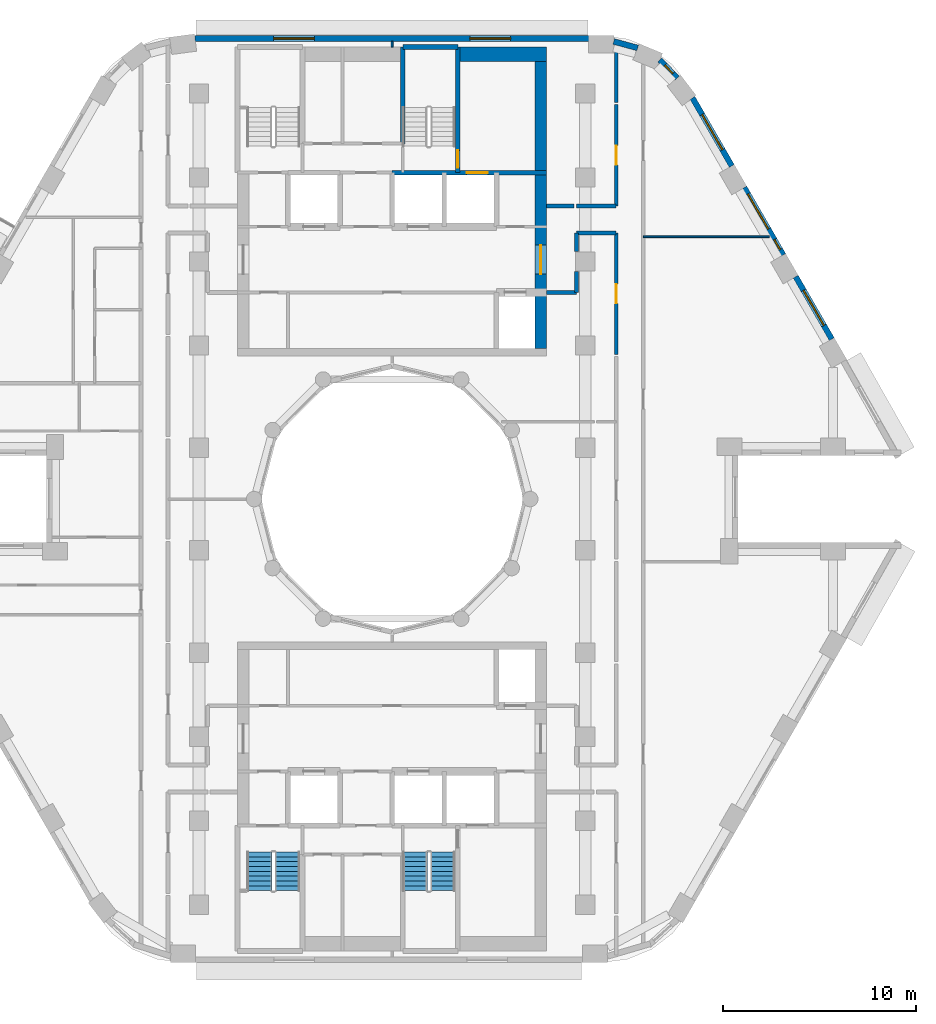
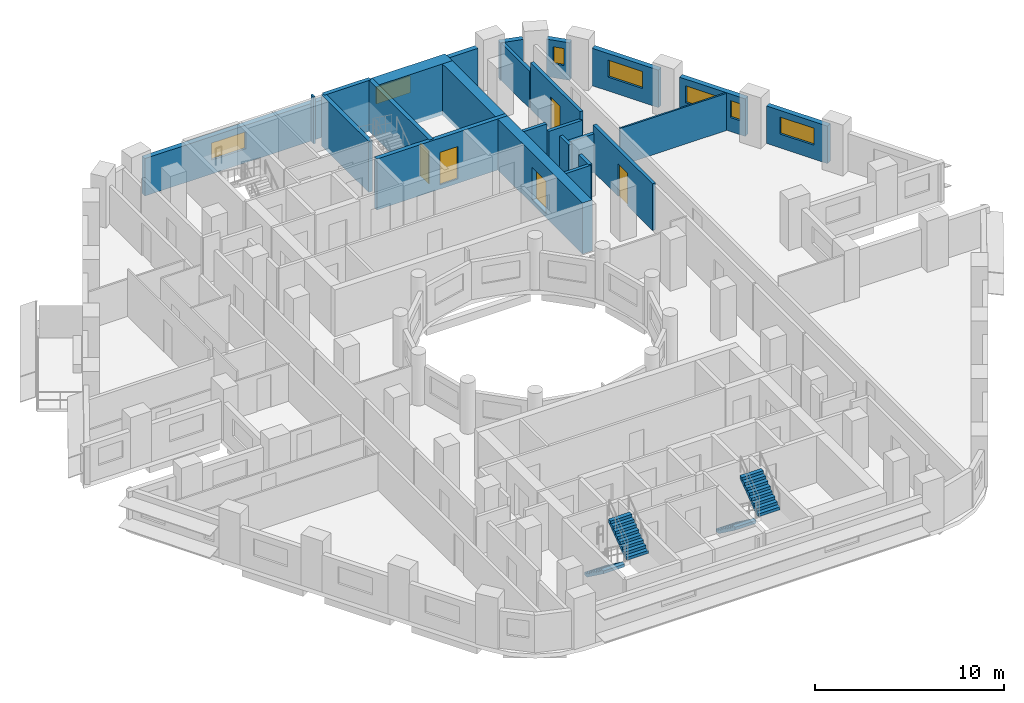
# One storey, part 8 of 13: 23 walls, 7 windows, 5 doors, 4 stair flights, 12 openings, 2 elements without a shape of their own.
"""IFC4 building model written with IfcOpenShell, lengths in metres."""

import ifcopenshell
import ifcopenshell.guid

model = None  # the IFC model being written
_history = None  # IfcOwnerHistory: only IFC2X3 demands one
_inside = {}  # id of a spatial element -> (the spatial element, [elements in it])
_under = {}  # id of a project, library or spatial element -> (it, [spatial elements below it])
_declared = {}  # id of a project -> (the project, [libraries it declares])
_typed = {}  # id of a type object -> (the type object, [elements of that type])
_made_of = {}  # id of a material, layer set ... -> (it, [elements and type objects made of it])


def new_model(schema):
    """Start an empty IFC model of exactly this schema.

    Asked for "IFC4X3", IfcOpenShell would pick the latest addendum, in which some entities
    have other attributes; the version numbers below select the first issue.
    IFC2X3 requires an IfcOwnerHistory on every rooted entity: one is made here for all.
    """
    global model, _history
    if schema == "IFC4X3":
        model = ifcopenshell.file(schema_version=(4, 3, 0, 0))
    else:
        model = ifcopenshell.file(schema=schema)
    _inside.clear()
    _under.clear()
    _declared.clear()
    _typed.clear()
    _made_of.clear()
    _history = None
    if model.schema == "IFC2X3":
        org = make("IfcOrganization", Name="unknown")
        user = make(
            "IfcPersonAndOrganization",
            ThePerson=make("IfcPerson", FamilyName="unknown"),
            TheOrganization=org,
        )
        app = make(
            "IfcApplication",
            ApplicationDeveloper=org,
            Version="unknown",
            ApplicationFullName="unknown",
            ApplicationIdentifier="unknown",
        )
        _history = make(
            "IfcOwnerHistory",
            OwningUser=user,
            OwningApplication=app,
            ChangeAction="ADDED",
            CreationDate=0,
        )
    return model


def make(cls, **values):
    """One entity of the class cls with the attributes given. An attribute that is None is left unset."""
    return model.create_entity(
        cls, **{name: value for name, value in values.items() if value is not None}
    )


def rooted(cls, **values):
    """An entity with a GlobalId (a new one), such as an element, a storey or a relation."""
    return make(cls, GlobalId=ifcopenshell.guid.new(), OwnerHistory=_history, **values)


def si_unit(unit_type, name, prefix=None):
    """IfcSIUnit, for example si_unit("LENGTHUNIT", "METRE", prefix="MILLI")."""
    return make("IfcSIUnit", UnitType=unit_type, Prefix=prefix, Name=name)


def assignment(units):
    """IfcUnitAssignment: the units of a project."""
    return None if units is None else make("IfcUnitAssignment", Units=units)


def point(xyz):
    """IfcCartesianPoint."""
    return None if xyz is None else make("IfcCartesianPoint", Coordinates=xyz)


def direction(xyz):
    """IfcDirection."""
    return None if xyz is None else make("IfcDirection", DirectionRatios=xyz)


def frame(location, z_axis=None, x_axis=None):
    """IfcAxis2Placement3D, a coordinate frame: its origin and axes. An axis left out is left unset."""
    return make(
        "IfcAxis2Placement3D",
        Location=point(location),
        Axis=direction(z_axis),
        RefDirection=direction(x_axis),
    )


def frame_2d(location, x_axis=None):
    """IfcAxis2Placement2D, a coordinate frame in the plane: its origin and x axis."""
    return make(
        "IfcAxis2Placement2D", Location=point(location), RefDirection=direction(x_axis)
    )


def origin():
    """The frame at (0, 0, 0) with its axes left unset."""
    return frame((0.0, 0.0, 0.0))


def place(relative_to, where):
    """IfcLocalPlacement: puts the frame where relative to a parent placement (None: the world)."""
    return make(
        "IfcLocalPlacement", PlacementRelTo=relative_to, RelativePlacement=where
    )


def context(
    kind, dimensions, precision=None, world=None, true_north=None, identifier=None
):
    """IfcGeometricRepresentationContext, for example the 3D "Model" context."""
    return make(
        "IfcGeometricRepresentationContext",
        ContextIdentifier=identifier,
        ContextType=kind,
        CoordinateSpaceDimension=dimensions,
        Precision=precision,
        WorldCoordinateSystem=world,
        TrueNorth=true_north,
    )


def subcontext(parent, identifier, kind, view, scale=None):
    """IfcGeometricRepresentationSubContext, for example "Body" below "Model"."""
    return make(
        "IfcGeometricRepresentationSubContext",
        ContextIdentifier=identifier,
        ContextType=kind,
        ParentContext=parent,
        TargetScale=scale,
        TargetView=view,
    )


def project(units=None, contexts=None):
    """IfcProject with its units and contexts."""
    return rooted(
        "IfcProject",
        Name="project",
        RepresentationContexts=contexts,
        UnitsInContext=assignment(units),
    )


def spatial(cls, under=None, at=None, **own):
    """A site, building, storey or space (cls), placed at a placement, below another one or the project."""
    s = rooted(cls, ObjectPlacement=at, **own)
    if under is not None:
        _under.setdefault(under.id(), (under, []))[1].append(s)
    return s


def polyline(points):
    """IfcPolyline through the points."""
    return make("IfcPolyline", Points=[point(p) for p in points])


def profile(cls, at=None, kind="AREA", **sizes):
    """A parametric profile (cls). Its sizes go by their IFC names, for example OverallWidth=200.0."""
    return make(cls, ProfileType=kind, Position=at, **sizes)


def rectangle(**sizes):
    """IfcRectangleProfileDef."""
    return profile("IfcRectangleProfileDef", **sizes)


def outline(outer, holes=None, kind="AREA"):
    """IfcArbitraryClosedProfileDef: a profile drawn as a closed curve; with holes, ...WithVoids."""
    if holes is None:
        return make("IfcArbitraryClosedProfileDef", ProfileType=kind, OuterCurve=outer)
    return make(
        "IfcArbitraryProfileDefWithVoids",
        ProfileType=kind,
        OuterCurve=outer,
        InnerCurves=holes,
    )


def extrude(swept, where, along, depth):
    """IfcExtrudedAreaSolid: the profile swept, set in the frame where, extruded along a direction by depth."""
    return make(
        "IfcExtrudedAreaSolid",
        SweptArea=swept,
        Position=where,
        ExtrudedDirection=direction(along),
        Depth=depth,
    )


def shape(context_of_items, identifier, shape_type, items):
    """IfcShapeRepresentation: the items that make up one representation, for example the "Body"."""
    return make(
        "IfcShapeRepresentation",
        ContextOfItems=context_of_items,
        RepresentationIdentifier=identifier,
        RepresentationType=shape_type,
        Items=items,
    )


def material(Name=None, Category=None):
    """IfcMaterial."""
    return make("IfcMaterial", Name=Name, Category=Category)


def layer(
    of_material, thickness, ventilated=None, Name=None, Category=None, Priority=None
):
    """IfcMaterialLayer: one layer of a wall or slab, of a material (None: an air gap)."""
    return make(
        "IfcMaterialLayer",
        Material=of_material,
        LayerThickness=thickness,
        IsVentilated=ventilated,
        Name=Name,
        Category=Category,
        Priority=Priority,
    )


def layer_set(layers, Name=None):
    """IfcMaterialLayerSet."""
    return make("IfcMaterialLayerSet", MaterialLayers=layers, LayerSetName=Name)


def made_of(thing, what):
    """Note that an element or type object is made of a material, layer set ...; save() writes the relation."""
    if what is not None:
        _made_of.setdefault(what.id(), (what, []))[1].append(thing)
    return thing


def type_object(cls, material=None, **own):
    """A type object (cls), such as IfcWallType, which elements share."""
    return made_of(rooted(cls, **own), material)


def element(
    cls,
    number,
    at=None,
    inside=None,
    cuts=None,
    type_object=None,
    material=None,
    context=None,
    identifier="Body",
    shape_type=None,
    held_by="IfcProductDefinitionShape",
    body=None,
    shapes=None,
    **own,
):
    """One element of the class cls, such as IfcWall. Its Tag is "e" and its number.

    at: its placement. inside: the storey or other place that contains it. cuts: it is an
    opening in that element (IfcRelVoidsElement). A single representation is given by context,
    identifier, shape_type and body (its items); several are given by shapes. held_by: the class
    of the entity that holds the representations. save() writes the other relations.
    """
    e = rooted(cls, Tag="e%d" % number, ObjectPlacement=at, **own)
    if body is not None:
        shapes = [shape(context, identifier, shape_type, body)]
    if shapes is not None:
        e.Representation = make(held_by, Representations=shapes)
    if inside is not None:
        _inside.setdefault(inside.id(), (inside, []))[1].append(e)
    if cuts is not None:
        rooted(
            "IfcRelVoidsElement", RelatingBuildingElement=cuts, RelatedOpeningElement=e
        )
    if type_object is not None:
        _typed.setdefault(type_object.id(), (type_object, []))[1].append(e)
    return made_of(e, material)


def fill(opening, filler):
    """IfcRelFillsElement: the door or window that sits in an opening."""
    return rooted(
        "IfcRelFillsElement",
        RelatingOpeningElement=opening,
        RelatedBuildingElement=filler,
    )


def aggregate(whole, parts):
    """IfcRelAggregates: a whole, such as a stair, and the parts it consists of."""
    return rooted("IfcRelAggregates", RelatingObject=whole, RelatedObjects=parts)


def save(model, path):
    """Write the relations noted so far, then the file.

    IfcRelAggregates (storeys below a building ...), IfcRelContainedInSpatialStructure (elements
    in a storey), IfcRelDefinesByType, IfcRelAssociatesMaterial and IfcRelDeclares: one each for
    every whole, place, type object, material and project.
    """
    for whole, parts in _under.values():
        aggregate(whole, parts)
    for where, things in _inside.values():
        rooted(
            "IfcRelContainedInSpatialStructure",
            RelatedElements=things,
            RelatingStructure=where,
        )
    for kind, things in _typed.values():
        rooted("IfcRelDefinesByType", RelatedObjects=things, RelatingType=kind)
    for what, things in _made_of.values():
        rooted("IfcRelAssociatesMaterial", RelatedObjects=things, RelatingMaterial=what)
    for by, libraries in _declared.values():
        rooted("IfcRelDeclares", RelatingContext=by, RelatedDefinitions=libraries)
    model.write(path)


model = new_model("IFC4")

# Units and contexts
model_context = context("Model", 3, precision=1e-05, world=origin(), true_north=direction((0.0, 1.0)))
body_context = subcontext(model_context, "Body", "Model", "MODEL_VIEW")
ifc_project = project(units=[si_unit("LENGTHUNIT", "METRE"), si_unit("AREAUNIT", "SQUARE_METRE"), si_unit("VOLUMEUNIT", "CUBIC_METRE"), si_unit("PLANEANGLEUNIT", "RADIAN"), si_unit("MASSUNIT", "GRAM", prefix="KILO")], contexts=[model_context])

# Site, building, storey
site_placement = place(None, origin())
site = spatial("IfcSite", under=ifc_project, at=site_placement, CompositionType="ELEMENT")
building_placement = place(site_placement, origin())
building = spatial("IfcBuilding", under=site, at=building_placement, Name="Nakaniwa Court", CompositionType="ELEMENT")
storey_placement = place(building_placement, frame((0.0, 0.0, 133.800048828125)))
storey = spatial("IfcBuildingStorey", under=building, at=storey_placement, Name="L34", CompositionType="ELEMENT", Elevation=133.800048828125)

# Wall, opening, door
ifc_material_1 = material(Name="Acoustic double stud partition")
ifc_layer_1 = layer(ifc_material_1, 0.199951171875)
ifc_layer_set_1 = layer_set([ifc_layer_1], Name="Acoustic double stud partition")
wall_type_1 = type_object("IfcWallType", Name="Acoustic double stud partition 200", PredefinedType="PARTITIONING", material=ifc_layer_set_1)
wall_1_placement = place(storey_placement, frame((91.60009765625, 87.4873046875, 0.0), z_axis=(0.0, 0.0, 1.0), x_axis=(0.0, 1.0, 0.0)))
wall_1 = element("IfcWall", 1, at=wall_1_placement, inside=storey, type_object=wall_type_1, Name="Partition PW-070", PredefinedType="PARTITIONING", context=body_context, shape_type="SweptSolid", body=[
    extrude(rectangle(XDim=6.28759765625, YDim=0.199951171875, at=frame_2d((3.143798828125, 0.0))), origin(), (0.0, 0.0, 1.0), 3.02490234375),
])
opening_1_placement = place(wall_1_placement, frame((2.64501953125, 0.0, 0.0)))
opening_1 = element("IfcOpeningElement", 2, at=opening_1_placement, cuts=wall_1, Name="Opening D-02-11", PredefinedType="OPENING", context=body_context, shape_type="SweptSolid", body=[
    extrude(rectangle(XDim=1.0, YDim=2.10009765625, at=frame_2d((0.5, 1.050048828125))), frame((0.0, 0.10986328125, 0.0), z_axis=(0.0, -1.0, 0.0), x_axis=(1.0, 0.0, 0.0)), (0.0, 0.0, 1.0), 0.219970703125),
])
ifc_material_2 = material(Name="Solid core timber door set, black veneer", Category="wood")
door_type_1 = type_object("IfcDoorType", Name="Internal door 1000", OperationType="NOTDEFINED", PredefinedType="DOOR", material=ifc_material_2)
door_1_placement = place(opening_1_placement, origin())
door_1 = element("IfcDoor", 3, at=door_1_placement, inside=storey, type_object=door_type_1, Name="Door D-02-11 L34-040", OperationType="SINGLE_SWING_LEFT", OverallHeight=2.10009765625, OverallWidth=1.0, PredefinedType="DOOR", context=body_context, shape_type="SweptSolid", body=[
    extrude(rectangle(XDim=1.0, YDim=2.10009765625, at=frame_2d((0.5, 1.050048828125))), frame((0.0, 0.02490234375, 0.0), z_axis=(0.0, -1.0, 0.0), x_axis=(1.0, 0.0, 0.0)), (0.0, 0.0, 1.0), 0.050048828125),
])
fill(opening_1, door_1)

wall_2_placement = place(storey_placement, frame((91.60009765625, 95.175048828125, 0.0), z_axis=(0.0, 0.0, 1.0), x_axis=(0.0, 1.0, 0.0)))
wall_2 = element("IfcWall", 4, at=wall_2_placement, inside=storey, type_object=wall_type_1, Name="Partition PW-071", PredefinedType="PARTITIONING", context=body_context, shape_type="SweptSolid", body=[
    extrude(rectangle(XDim=5.247802734375, YDim=0.199951171875, at=frame_2d((2.6240234375, 0.0))), origin(), (0.0, 0.0, 1.0), 3.02490234375),
])
opening_2_placement = place(wall_2_placement, frame((2.123046875, 0.0, 0.0)))
opening_2 = element("IfcOpeningElement", 5, at=opening_2_placement, cuts=wall_2, Name="Opening D-02-12", PredefinedType="OPENING", context=body_context, shape_type="SweptSolid", body=[
    extrude(rectangle(XDim=1.0, YDim=2.10009765625, at=frame_2d((0.5, 1.050048828125))), frame((0.0, 0.10986328125, 0.0), z_axis=(0.0, -1.0, 0.0), x_axis=(1.0, 0.0, 0.0)), (0.0, 0.0, 1.0), 0.219970703125),
])
door_2_placement = place(opening_2_placement, origin())
door_2 = element("IfcDoor", 6, at=door_2_placement, inside=storey, type_object=door_type_1, Name="Door D-02-12 L34-041", OperationType="SINGLE_SWING_RIGHT", OverallHeight=2.10009765625, OverallWidth=1.0, PredefinedType="DOOR", context=body_context, shape_type="SweptSolid", body=[
    extrude(rectangle(XDim=1.0, YDim=2.10009765625, at=frame_2d((0.5, 1.050048828125))), frame((0.0, 0.02490234375, 0.0), z_axis=(0.0, -1.0, 0.0), x_axis=(1.0, 0.0, 0.0)), (0.0, 0.0, 1.0), 0.050048828125),
])
fill(opening_2, door_2)

# Walls
wall_3_placement = place(storey_placement, frame((91.60009765625, 100.537109375, 0.0), z_axis=(0.0, 0.0, 1.0), x_axis=(0.0, 1.0, 0.0)))
element("IfcWall", 7, at=wall_3_placement, inside=storey, type_object=wall_type_1, Name="Partition PW-072", PredefinedType="PARTITIONING", context=body_context, shape_type="SweptSolid", body=[
    extrude(rectangle(XDim=3.06201171875, YDim=0.199951171875, at=frame_2d((1.531005859375, 0.0))), origin(), (0.0, 0.0, 1.0), 2.405029296875),
])
wall_4_placement = place(storey_placement, frame((89.550048828125, 90.699951171875, 0.0), z_axis=(0.0, 0.0, 1.0), x_axis=(0.0, 1.0, 0.0)))
element("IfcWall", 8, at=wall_4_placement, inside=storey, type_object=wall_type_1, Name="Partition PW-082", PredefinedType="PARTITIONING", context=body_context, shape_type="SweptSolid", body=[
    extrude(rectangle(XDim=1.082763671875, YDim=0.199951171875, at=frame_2d((0.54150390625, 0.0))), origin(), (0.0, 0.0, 1.0), 3.02490234375),
])
wall_5_placement = place(storey_placement, frame((89.550048828125, 92.817138671875, 0.0), z_axis=(0.0, 0.0, 1.0), x_axis=(0.0, 1.0, 0.0)))
element("IfcWall", 9, at=wall_5_placement, inside=storey, type_object=wall_type_1, Name="Partition PW-083", PredefinedType="PARTITIONING", context=body_context, shape_type="SweptSolid", body=[
    extrude(rectangle(XDim=0.957763671875, YDim=0.199951171875, at=frame_2d((0.47900390625, 0.0))), origin(), (0.0, 0.0, 1.0), 3.02490234375),
])
wall_6_placement = place(storey_placement, frame((89.550048828125, 93.77490234375, 0.0), z_axis=(0.0, 0.0, 1.0), x_axis=(1.0, 0.0, 0.0)))
element("IfcWall", 10, at=wall_6_placement, inside=storey, type_object=wall_type_1, Name="Partition PW-087", PredefinedType="PARTITIONING", context=body_context, shape_type="SweptSolid", body=[
    extrude(rectangle(XDim=2.050048828125, YDim=0.199951171875, at=frame_2d((1.02490234375, 0.0))), origin(), (0.0, 0.0, 1.0), 2.5048828125),
])
wall_7_placement = place(storey_placement, frame((88.0, 90.699951171875, 0.0), z_axis=(0.0, 0.0, 1.0), x_axis=(1.0, 0.0, 0.0)))
element("IfcWall", 11, at=wall_7_placement, inside=storey, type_object=wall_type_1, Name="Partition PW-089", PredefinedType="PARTITIONING", context=body_context, shape_type="SweptSolid", body=[
    extrude(rectangle(XDim=1.550048828125, YDim=0.199951171875, at=frame_2d((0.77490234375, 0.0))), origin(), (0.0, 0.0, 1.0), 3.02490234375),
])
wall_8_placement = place(storey_placement, frame((88.0, 95.175048828125, 0.0), z_axis=(0.0, 0.0, 1.0), x_axis=(1.0, 0.0, 0.0)))
element("IfcWall", 12, at=wall_8_placement, inside=storey, type_object=wall_type_1, Name="Partition PW-092", PredefinedType="PARTITIONING", context=body_context, shape_type="SweptSolid", body=[
    extrude(rectangle(XDim=1.4228515625, YDim=0.199951171875, at=frame_2d((0.71142578125, 0.0))), origin(), (0.0, 0.0, 1.0), 3.02490234375),
])
wall_9_placement = place(storey_placement, frame((89.537109375, 95.175048828125, 0.0), z_axis=(0.0, 0.0, 1.0), x_axis=(1.0, 0.0, 0.0)))
element("IfcWall", 13, at=wall_9_placement, inside=storey, type_object=wall_type_1, Name="Partition PW-093", PredefinedType="PARTITIONING", context=body_context, shape_type="SweptSolid", body=[
    extrude(rectangle(XDim=2.06298828125, YDim=0.199951171875, at=frame_2d((1.031494140625, 0.0))), origin(), (0.0, 0.0, 1.0), 2.5048828125),
])

# Wall, opening, window
ifc_material_3 = material(Name="Charcoal ceramic cladding")
ifc_layer_2 = layer(ifc_material_3, 0.02, Name="Ceramic cladding")
ifc_material_4 = material(Name="Ventilated air cavity")
ifc_layer_3 = layer(ifc_material_4, 0.04, ventilated=True, Name="Ventilated cavity")
ifc_material_5 = material(Name="Mineral wool insulation")
ifc_layer_4 = layer(ifc_material_5, 0.1, Name="Insulation")
ifc_material_6 = material(Name="Cement bonded sheathing board")
ifc_layer_5 = layer(ifc_material_6, 0.012, Name="Sheathing")
ifc_material_7 = material(Name="Cold-formed galvanised stud frame with mineral wool infill")
ifc_layer_6 = layer(ifc_material_7, 0.1, Name="Stud frame")
ifc_material_8 = material(Name="Fire-rated gypsum plasterboard lining")
ifc_layer_7 = layer(ifc_material_8, 0.028, Name="Lining")
ifc_layer_set_2 = layer_set([ifc_layer_2, ifc_layer_3, ifc_layer_4, ifc_layer_5, ifc_layer_6, ifc_layer_7], Name="Charcoal ceramic faced external wall system")
wall_type_2 = type_object("IfcWallType", Name="Black ceramic faced external wall 300", PredefinedType="SOLIDWALL", material=ifc_layer_set_2)
wall_10_placement = place(storey_placement, frame((102.759521484375, 88.279052734375, 0.0), z_axis=(0.0, 0.0, 1.0), x_axis=(-0.499933594891, 0.866063739398, 0.0)))
wall_10 = element("IfcWall", 14, at=wall_10_placement, inside=storey, type_object=wall_type_2, Name="L34 external wall 03", PredefinedType="SOLIDWALL", context=body_context, shape_type="SweptSolid", body=[
    extrude(rectangle(XDim=3.73681640625, YDim=0.300048828125, at=frame_2d((1.868408203125, 0.0))), origin(), (0.0, 0.0, 1.0), 2.425048828125),
])
opening_3_placement = place(wall_10_placement, frame((0.818359375, 0.0, 0.89990234375)))
opening_3 = element("IfcOpeningElement", 15, at=opening_3_placement, cuts=wall_10, Name="Opening W7.04", PredefinedType="OPENING", context=body_context, shape_type="SweptSolid", body=[
    extrude(rectangle(XDim=2.10009765625, YDim=1.10009765625, at=frame_2d((1.050048828125, 0.550048828125))), frame((0.0, 0.159912109375, 0.0), z_axis=(0.0, -1.0, 0.0), x_axis=(1.0, 0.0, 0.0)), (0.0, 0.0, 1.0), 0.320068359375),
])
ifc_material_9 = material(Name="Black anodised aluminium frame with dark low-E laminated double glazing", Category="aluminium")
window_type_1 = type_object("IfcWindowType", Name="Dark glass window 2100x1100 sill 900", PartitioningType="SINGLE_PANEL", PredefinedType="WINDOW", material=ifc_material_9)
window_1_placement = place(opening_3_placement, origin())
window_1 = element("IfcWindow", 16, at=window_1_placement, inside=storey, type_object=window_type_1, Name="L34 habitable room window 03-0", OverallHeight=1.10009765625, OverallWidth=2.10009765625, PartitioningType="SINGLE_PANEL", PredefinedType="WINDOW", context=body_context, shape_type="SweptSolid", body=[
    extrude(rectangle(XDim=2.10009765625, YDim=1.10009765625, at=frame_2d((1.050048828125, 0.550048828125))), frame((0.0, 0.030029296875, 0.0), z_axis=(0.0, -1.0, 0.0), x_axis=(1.0, 0.0, 0.0)), (0.0, 0.0, 1.0), 0.06005859375),
])
fill(opening_3, window_1)

# Wall, openings, windows
wall_11_placement = place(storey_placement, frame((100.245361328125, 92.63427734375, 0.0), z_axis=(0.0, 0.0, 1.0), x_axis=(-0.500031546601, 0.86600718958, 0.0)))
wall_11 = element("IfcWall", 17, at=wall_11_placement, inside=storey, type_object=wall_type_2, Name="L34 external wall 04", PredefinedType="SOLIDWALL", context=body_context, shape_type="SweptSolid", body=[
    extrude(rectangle(XDim=4.033935546875, YDim=0.300048828125, at=frame_2d((2.01708984375, 0.0))), origin(), (0.0, 0.0, 1.0), 2.425048828125),
])
opening_4_placement = place(wall_11_placement, frame((0.322021484375, 0.0, 0.89990234375)))
opening_4 = element("IfcOpeningElement", 18, at=opening_4_placement, cuts=wall_11, Name="Opening W8.05", PredefinedType="OPENING", context=body_context, shape_type="SweptSolid", body=[
    extrude(rectangle(XDim=0.60009765625, YDim=1.10009765625, at=frame_2d((0.300048828125, 0.550048828125))), frame((0.0, 0.159912109375, 0.0), z_axis=(0.0, -1.0, 0.0), x_axis=(1.0, 0.0, 0.0)), (0.0, 0.0, 1.0), 0.320068359375),
])
opening_5_placement = place(wall_11_placement, frame((1.552001953125, 0.0, 0.89990234375)))
opening_5 = element("IfcOpeningElement", 19, at=opening_5_placement, cuts=wall_11, Name="Opening W7.06", PredefinedType="OPENING", context=body_context, shape_type="SweptSolid", body=[
    extrude(rectangle(XDim=2.10009765625, YDim=1.10009765625, at=frame_2d((1.050048828125, 0.550048828125))), frame((0.0, 0.159912109375, 0.0), z_axis=(0.0, -1.0, 0.0), x_axis=(1.0, 0.0, 0.0)), (0.0, 0.0, 1.0), 0.320068359375),
])
window_2_placement = place(opening_5_placement, origin())
window_2 = element("IfcWindow", 20, at=window_2_placement, inside=storey, type_object=window_type_1, Name="L34 habitable room window 04-1", OverallHeight=1.10009765625, OverallWidth=2.10009765625, PartitioningType="SINGLE_PANEL", PredefinedType="WINDOW", context=body_context, shape_type="SweptSolid", body=[
    extrude(rectangle(XDim=2.10009765625, YDim=1.10009765625, at=frame_2d((1.050048828125, 0.550048828125))), frame((0.0, 0.030029296875, 0.0), z_axis=(0.0, -1.0, 0.0), x_axis=(1.0, 0.0, 0.0)), (0.0, 0.0, 1.0), 0.06005859375),
])
fill(opening_5, window_2)
window_type_2 = type_object("IfcWindowType", Name="Dark glass window 600x1100 sill 900", PartitioningType="SINGLE_PANEL", PredefinedType="WINDOW", material=ifc_material_9)
window_3_placement = place(opening_4_placement, origin())
window_3 = element("IfcWindow", 21, at=window_3_placement, inside=storey, type_object=window_type_2, Name="L34 habitable room window 04-0", OverallHeight=1.10009765625, OverallWidth=0.60009765625, PartitioningType="SINGLE_PANEL", PredefinedType="WINDOW", context=body_context, shape_type="SweptSolid", body=[
    extrude(rectangle(XDim=0.60009765625, YDim=1.10009765625, at=frame_2d((0.300048828125, 0.550048828125))), frame((0.0, 0.030029296875, 0.0), z_axis=(0.0, -1.0, 0.0), x_axis=(1.0, 0.0, 0.0)), (0.0, 0.0, 1.0), 0.06005859375),
])
fill(opening_4, window_3)

# Wall, opening, window
wall_12_placement = place(storey_placement, frame((97.582275390625, 97.24658203125, 0.0), z_axis=(0.0, 0.0, 1.0), x_axis=(-0.500018589245, 0.866014671013, 0.0)))
wall_12 = element("IfcWall", 22, at=wall_12_placement, inside=storey, type_object=wall_type_2, Name="L34 external wall 05", PredefinedType="SOLIDWALL", context=body_context, shape_type="SweptSolid", body=[
    extrude(rectangle(XDim=4.067626953125, YDim=0.300048828125, at=frame_2d((2.03369140625, 0.0))), origin(), (0.0, 0.0, 1.0), 2.425048828125),
])
opening_6_placement = place(wall_12_placement, frame((0.97265625, 0.0, 0.89990234375)))
opening_6 = element("IfcOpeningElement", 23, at=opening_6_placement, cuts=wall_12, Name="Opening W7.07", PredefinedType="OPENING", context=body_context, shape_type="SweptSolid", body=[
    extrude(rectangle(XDim=2.10009765625, YDim=1.10009765625, at=frame_2d((1.050048828125, 0.550048828125))), frame((0.0, 0.159912109375, 0.0), z_axis=(0.0, -1.0, 0.0), x_axis=(1.0, 0.0, 0.0)), (0.0, 0.0, 1.0), 0.320068359375),
])
window_4_placement = place(opening_6_placement, origin())
window_4 = element("IfcWindow", 24, at=window_4_placement, inside=storey, type_object=window_type_1, Name="L34 habitable room window 05-0", OverallHeight=1.10009765625, OverallWidth=2.10009765625, PartitioningType="SINGLE_PANEL", PredefinedType="WINDOW", context=body_context, shape_type="SweptSolid", body=[
    extrude(rectangle(XDim=2.10009765625, YDim=1.10009765625, at=frame_2d((1.050048828125, 0.550048828125))), frame((0.0, 0.030029296875, 0.0), z_axis=(0.0, -1.0, 0.0), x_axis=(1.0, 0.0, 0.0)), (0.0, 0.0, 1.0), 0.06005859375),
])
fill(opening_6, window_4)

wall_13_placement = place(storey_placement, frame((94.76318359375, 101.79541015625, 0.0), z_axis=(0.0, 0.0, 1.0), x_axis=(-0.697598997785, 0.716488407645, 0.0)))
wall_13 = element("IfcWall", 25, at=wall_13_placement, inside=storey, type_object=wall_type_2, Name="L34 external wall 06", PredefinedType="SOLIDWALL", context=body_context, shape_type="SweptSolid", body=[
    extrude(rectangle(XDim=1.305419921875, YDim=0.300048828125, at=frame_2d((0.65283203125, 0.0))), origin(), (0.0, 0.0, 1.0), 2.425048828125),
])
opening_7_placement = place(wall_13_placement, frame((0.328125, 0.0, 0.89990234375)))
opening_7 = element("IfcOpeningElement", 26, at=opening_7_placement, cuts=wall_13, Name="Opening W8.08", PredefinedType="OPENING", context=body_context, shape_type="SweptSolid", body=[
    extrude(rectangle(XDim=0.60009765625, YDim=1.10009765625, at=frame_2d((0.300048828125, 0.550048828125))), frame((0.0, 0.159912109375, 0.0), z_axis=(0.0, -1.0, 0.0), x_axis=(1.0, 0.0, 0.0)), (0.0, 0.0, 1.0), 0.320068359375),
])
window_5_placement = place(opening_7_placement, origin())
window_5 = element("IfcWindow", 27, at=window_5_placement, inside=storey, type_object=window_type_2, Name="L34 habitable room window 06-0", OverallHeight=1.10009765625, OverallWidth=0.60009765625, PartitioningType="SINGLE_PANEL", PredefinedType="WINDOW", context=body_context, shape_type="SweptSolid", body=[
    extrude(rectangle(XDim=0.60009765625, YDim=1.10009765625, at=frame_2d((0.300048828125, 0.550048828125))), frame((0.0, 0.030029296875, 0.0), z_axis=(0.0, -1.0, 0.0), x_axis=(1.0, 0.0, 0.0)), (0.0, 0.0, 1.0), 0.06005859375),
])
fill(opening_7, window_5)

# Wall
wall_14_placement = place(storey_placement, frame((92.712890625, 103.3564453125, 0.0), z_axis=(0.0, 0.0, 1.0), x_axis=(-0.965274225809, 0.26123872031, 0.0)))
element("IfcWall", 28, at=wall_14_placement, inside=storey, type_object=wall_type_2, Name="L34 external wall 07", PredefinedType="SOLIDWALL", context=body_context, shape_type="SweptSolid", body=[
    extrude(rectangle(XDim=1.286865234375, YDim=0.300048828125, at=frame_2d((0.6435546875, 0.0))), origin(), (0.0, 0.0, 1.0), 2.425048828125),
])

# Wall, openings, windows
wall_15_placement = place(storey_placement, frame((90.1787109375, 103.85009765625, 0.0), z_axis=(0.0, 0.0, 1.0), x_axis=(-1.0, 0.0, 0.0)))
wall_15 = element("IfcWall", 29, at=wall_15_placement, inside=storey, type_object=wall_type_2, Name="L34 external wall 08", PredefinedType="SOLIDWALL", context=body_context, shape_type="SweptSolid", body=[
    extrude(rectangle(XDim=20.391357421875, YDim=0.300048828125, at=frame_2d((10.19580078125, 0.0))), origin(), (0.0, 0.0, 1.0), 2.425048828125),
])
opening_8_placement = place(wall_15_placement, frame((4.05126953125, 0.0, 0.89990234375)))
opening_8 = element("IfcOpeningElement", 30, at=opening_8_placement, cuts=wall_15, Name="Opening W7.09", PredefinedType="OPENING", context=body_context, shape_type="SweptSolid", body=[
    extrude(rectangle(XDim=2.10009765625, YDim=1.10009765625, at=frame_2d((1.050048828125, 0.550048828125))), frame((0.0, 0.159912109375, 0.0), z_axis=(0.0, -1.0, 0.0), x_axis=(1.0, 0.0, 0.0)), (0.0, 0.0, 1.0), 0.320068359375),
])
opening_9_placement = place(wall_15_placement, frame((14.211669921875, 0.0, 0.89990234375)))
opening_9 = element("IfcOpeningElement", 31, at=opening_9_placement, cuts=wall_15, Name="Opening W7.10", PredefinedType="OPENING", context=body_context, shape_type="SweptSolid", body=[
    extrude(rectangle(XDim=2.10009765625, YDim=1.10009765625, at=frame_2d((1.050048828125, 0.550048828125))), frame((0.0, 0.159912109375, 0.0), z_axis=(0.0, -1.0, 0.0), x_axis=(1.0, 0.0, 0.0)), (0.0, 0.0, 1.0), 0.320068359375),
])
window_6_placement = place(opening_8_placement, origin())
window_6 = element("IfcWindow", 32, at=window_6_placement, inside=storey, type_object=window_type_1, Name="L34 habitable room window 08-0", OverallHeight=1.10009765625, OverallWidth=2.10009765625, PartitioningType="SINGLE_PANEL", PredefinedType="WINDOW", context=body_context, shape_type="SweptSolid", body=[
    extrude(rectangle(XDim=2.10009765625, YDim=1.10009765625, at=frame_2d((1.050048828125, 0.550048828125))), frame((0.0, 0.030029296875, 0.0), z_axis=(0.0, -1.0, 0.0), x_axis=(1.0, 0.0, 0.0)), (0.0, 0.0, 1.0), 0.06005859375),
])
fill(opening_8, window_6)
window_7_placement = place(opening_9_placement, origin())
window_7 = element("IfcWindow", 33, at=window_7_placement, inside=storey, type_object=window_type_1, Name="L34 habitable room window 08-1", OverallHeight=1.10009765625, OverallWidth=2.10009765625, PartitioningType="SINGLE_PANEL", PredefinedType="WINDOW", context=body_context, shape_type="SweptSolid", body=[
    extrude(rectangle(XDim=2.10009765625, YDim=1.10009765625, at=frame_2d((1.050048828125, 0.550048828125))), frame((0.0, 0.030029296875, 0.0), z_axis=(0.0, -1.0, 0.0), x_axis=(1.0, 0.0, 0.0)), (0.0, 0.0, 1.0), 0.06005859375),
])
fill(opening_9, window_7)

# Wall, opening, door
ifc_material_10 = material(Name="Concrete C80/100", Category="concrete")
ifc_layer_8 = layer(ifc_material_10, 0.60009765625)
ifc_layer_set_3 = layer_set([ifc_layer_8], Name="Concrete C80/100")
wall_type_3 = type_object("IfcWallType", Name="Concrete core side wall 600 C80", PredefinedType="SHEAR", material=ifc_layer_set_3)
wall_16_placement = place(storey_placement, frame((87.699951171875, 103.39990234375, -0.275146484375), z_axis=(0.0, 0.0, 1.0), x_axis=(0.0, -1.0, 0.0)))
wall_16 = element("IfcWall", 34, at=wall_16_placement, inside=storey, type_object=wall_type_3, Name="Core wall SW-07", PredefinedType="SHEAR", context=body_context, shape_type="SweptSolid", body=[
    extrude(rectangle(XDim=15.599853515625, YDim=0.60009765625, at=frame_2d((7.7998046875, 0.0))), origin(), (0.0, 0.0, 1.0), 3.300048828125),
])
opening_10_placement = place(wall_16_placement, frame((10.248046875, 0.0, 0.27490234375)))
opening_10 = element("IfcOpeningElement", 35, at=opening_10_placement, cuts=wall_16, Name="Opening D-07-01", PredefinedType="OPENING", context=body_context, shape_type="SweptSolid", body=[
    extrude(rectangle(XDim=1.5, YDim=2.10009765625, at=frame_2d((0.75, 1.050048828125))), frame((0.0, 0.31005859375, 0.0), z_axis=(0.0, -1.0, 0.0), x_axis=(1.0, 0.0, 0.0)), (0.0, 0.0, 1.0), 0.6201171875),
])
ifc_material_11 = material(Name="Glazed fire rated steel double door set", Category="steel")
door_type_2 = type_object("IfcDoorType", Name="Lobby double door 1500", OperationType="NOTDEFINED", PredefinedType="DOOR", material=ifc_material_11)
door_3_placement = place(opening_10_placement, origin())
door_3 = element("IfcDoor", 36, at=door_3_placement, inside=storey, type_object=door_type_2, Name="Door D-07-01 L34-043", OperationType="DOUBLE_DOOR_SINGLE_SWING", OverallHeight=2.10009765625, OverallWidth=1.5, PredefinedType="DOOR", context=body_context, shape_type="SweptSolid", body=[
    extrude(rectangle(XDim=1.5, YDim=2.10009765625, at=frame_2d((0.75, 1.050048828125))), frame((0.0, 0.02490234375, 0.0), z_axis=(0.0, -1.0, 0.0), x_axis=(1.0, 0.0, 0.0)), (0.0, 0.0, 1.0), 0.050048828125),
])
fill(opening_10, door_3)

# Walls
ifc_layer_9 = layer(ifc_material_10, 0.25)
ifc_layer_set_4 = layer_set([ifc_layer_9], Name="Concrete C80/100")
wall_type_4 = type_object("IfcWallType", Name="Concrete core wall 250 C80", PredefinedType="SHEAR", material=ifc_layer_set_4)
wall_17_placement = place(storey_placement, frame((80.550048828125, 103.39990234375, -0.275146484375), z_axis=(0.0, 0.0, 1.0), x_axis=(1.0, 0.0, 0.0)))
element("IfcWall", 37, at=wall_17_placement, inside=storey, type_object=wall_type_4, Name="Core wall SW-24", PredefinedType="SHEAR", context=body_context, shape_type="SweptSolid", body=[
    extrude(rectangle(XDim=2.849853515625, YDim=0.25, at=frame_2d((1.4248046875, 0.0))), origin(), (0.0, 0.0, 1.0), 3.300048828125),
])
ifc_layer_10 = layer(ifc_material_10, 0.75)
ifc_layer_set_5 = layer_set([ifc_layer_10], Name="Concrete C80/100")
wall_type_5 = type_object("IfcWallType", Name="Concrete core wall 750 C80", PredefinedType="SHEAR", material=ifc_layer_set_5)
wall_18_placement = place(storey_placement, frame((83.39990234375, 103.02490234375, -0.275146484375), z_axis=(0.0, 0.0, 1.0), x_axis=(1.0, 0.0, 0.0)))
element("IfcWall", 38, at=wall_18_placement, inside=storey, type_object=wall_type_5, Name="Core wall SW-30", PredefinedType="SHEAR", context=body_context, shape_type="SweptSolid", body=[
    extrude(rectangle(XDim=4.60009765625, YDim=0.75, at=frame_2d((2.300048828125, 0.0))), origin(), (0.0, 0.0, 1.0), 3.300048828125),
])

# Wall, opening, door
ifc_layer_11 = layer(ifc_material_10, 0.25)
ifc_layer_set_6 = layer_set([ifc_layer_11], Name="Concrete C80/100")
wall_type_6 = type_object("IfcWallType", Name="Concrete shaft wall 250 C80", PredefinedType="SHEAR", material=ifc_layer_set_6)
wall_19_placement = place(storey_placement, frame((80.0, 96.89990234375, -0.275146484375), z_axis=(0.0, 0.0, 1.0), x_axis=(1.0, 0.0, 0.0)))
wall_19 = element("IfcWall", 39, at=wall_19_placement, inside=storey, type_object=wall_type_6, Name="Core wall SW-17", PredefinedType="SHEAR", context=body_context, shape_type="SweptSolid", body=[
    extrude(rectangle(XDim=8.0, YDim=0.25, at=frame_2d((4.0, 0.0))), origin(), (0.0, 0.0, 1.0), 3.300048828125),
])
opening_11_placement = place(wall_19_placement, frame((3.84912109375, 0.0, 0.27490234375)))
opening_11 = element("IfcOpeningElement", 40, at=opening_11_placement, cuts=wall_19, Name="Opening LD04", PredefinedType="OPENING", context=body_context, shape_type="SweptSolid", body=[
    extrude(rectangle(XDim=1.10009765625, YDim=2.10009765625, at=frame_2d((0.550048828125, 1.050048828125))), frame((0.0, 0.135009765625, 0.0), z_axis=(0.0, -1.0, 0.0), x_axis=(1.0, 0.0, 0.0)), (0.0, 0.0, 1.0), 0.27001953125),
])
ifc_material_12 = material(Name="Stainless steel sliding lift landing door", Category="steel")
door_type_3 = type_object("IfcDoorType", Name="Lift landing door 1100", OperationType="NOTDEFINED", PredefinedType="DOOR", material=ifc_material_12)
door_4_placement = place(opening_11_placement, origin())
door_4 = element("IfcDoor", 41, at=door_4_placement, inside=storey, type_object=door_type_3, Name="Lift landing door LD04 L34-004", OperationType="SLIDING_TO_LEFT", OverallHeight=2.10009765625, OverallWidth=1.10009765625, PredefinedType="DOOR", context=body_context, shape_type="SweptSolid", body=[
    extrude(rectangle(XDim=1.10009765625, YDim=2.10009765625, at=frame_2d((0.550048828125, 1.050048828125))), frame((0.0, 0.02490234375, 0.0), z_axis=(0.0, -1.0, 0.0), x_axis=(1.0, 0.0, 0.0)), (0.0, 0.0, 1.0), 0.050048828125),
])
fill(opening_11, door_4)

wall_20_placement = place(storey_placement, frame((83.39990234375, 103.39990234375, -0.275146484375), z_axis=(0.0, 0.0, 1.0), x_axis=(0.0, -1.0, 0.0)))
wall_20 = element("IfcWall", 42, at=wall_20_placement, inside=storey, type_object=wall_type_6, Name="Core wall SW-26", PredefinedType="SHEAR", context=body_context, shape_type="SweptSolid", body=[
    extrude(rectangle(XDim=6.5, YDim=0.25, at=frame_2d((3.25, 0.0))), origin(), (0.0, 0.0, 1.0), 3.300048828125),
])
opening_12_placement = place(wall_20_placement, frame((5.35009765625, 0.0, 0.27490234375)))
opening_12 = element("IfcOpeningElement", 43, at=opening_12_placement, cuts=wall_20, Name="Opening D-11-01", PredefinedType="OPENING", context=body_context, shape_type="SweptSolid", body=[
    extrude(rectangle(XDim=0.89990234375, YDim=2.10009765625, at=frame_2d((0.449951171875, 1.050048828125))), frame((0.0, 0.135009765625, 0.0), z_axis=(0.0, -1.0, 0.0), x_axis=(1.0, 0.0, 0.0)), (0.0, 0.0, 1.0), 0.27001953125),
])
ifc_material_13 = material(Name="Fire rated steel door set", Category="steel")
door_type_4 = type_object("IfcDoorType", Name="Stair door 900", OperationType="NOTDEFINED", PredefinedType="DOOR", material=ifc_material_13)
door_5_placement = place(opening_12_placement, origin())
door_5 = element("IfcDoor", 44, at=door_5_placement, inside=storey, type_object=door_type_4, Name="Door D-11-01 L34-010", OperationType="SINGLE_SWING_RIGHT", OverallHeight=2.10009765625, OverallWidth=0.89990234375, PredefinedType="DOOR", context=body_context, shape_type="SweptSolid", body=[
    extrude(rectangle(XDim=0.89990234375, YDim=2.10009765625, at=frame_2d((0.449951171875, 1.050048828125))), frame((0.0, 0.02490234375, 0.0), z_axis=(0.0, -1.0, 0.0), x_axis=(1.0, 0.0, 0.0)), (0.0, 0.0, 1.0), 0.050048828125),
])
fill(opening_12, door_5)

# Walls
wall_21_placement = place(storey_placement, frame((80.550048828125, 98.39697265625, -0.275146484375), z_axis=(0.0, 0.0, 1.0), x_axis=(0.0, 1.0, 0.0)))
element("IfcWall", 45, at=wall_21_placement, inside=storey, type_object=wall_type_6, Name="Core wall SW-28", PredefinedType="SHEAR", context=body_context, shape_type="SweptSolid", body=[
    extrude(rectangle(XDim=5.0029296875, YDim=0.25, at=frame_2d((2.50146484375, 0.0))), origin(), (0.0, 0.0, 1.0), 3.300048828125),
])
ifc_material_14 = material(Name="Single stud plasterboard partition")
ifc_layer_12 = layer(ifc_material_14, 0.10009765625)
ifc_layer_set_7 = layer_set([ifc_layer_12], Name="Single stud plasterboard partition")
wall_type_7 = type_object("IfcWallType", Name="Single stud plasterboard partition 100", PredefinedType="PARTITIONING", material=ifc_layer_set_7)
wall_22_placement = place(storey_placement, frame((80.0, 103.39990234375, 0.0), z_axis=(0.0, 0.0, 1.0), x_axis=(0.0, 1.0, 0.0)))
element("IfcWall", 46, at=wall_22_placement, inside=storey, type_object=wall_type_7, Name="Partition PW-111", PredefinedType="PARTITIONING", context=body_context, shape_type="SweptSolid", body=[
    extrude(rectangle(XDim=0.300048828125, YDim=0.10009765625, at=frame_2d((0.14990234375, 0.0))), origin(), (0.0, 0.0, 1.0), 3.02490234375),
])
wall_23_placement = place(storey_placement, frame((93.0009765625, 93.5830078125, 0.0), z_axis=(0.0, 0.0, 1.0), x_axis=(1.0, 0.0, 0.0)))
element("IfcWall", 47, at=wall_23_placement, inside=storey, type_object=wall_type_7, Name="Partition PW-115", PredefinedType="PARTITIONING", context=body_context, shape_type="SweptSolid", body=[
    extrude(rectangle(XDim=6.523193359375, YDim=0.10009765625, at=frame_2d((3.26171875, 0.0))), origin(), (0.0, 0.0, 1.0), 2.405029296875),
])

# Stair, stair flights
stair_type = type_object("IfcStairType", Name="Dog leg stair 1300 wide 18 risers", PredefinedType="HALF_TURN_STAIR", material=ifc_material_10)
stair_1_placement = place(storey_placement, origin())
stair_1 = element("IfcStair", 48, at=stair_1_placement, inside=storey, type_object=stair_type, Name="L34 Stair ST3", PredefinedType="HALF_TURN_STAIR")
stair_flight_type = type_object("IfcStairFlightType", Name="Stair flight 1300 wide 9 risers", PredefinedType="STRAIGHT", material=ifc_material_10)
stair_flight_1_placement = place(storey_placement, frame((73.125, 61.72509765625, 0.0), z_axis=(0.0, 0.0, 1.0), x_axis=(0.0, -1.0, 0.0)))
stair_flight_1 = element("IfcStairFlight", 49, at=stair_flight_1_placement, type_object=stair_flight_type, Name="ST3 flight 1", NumberOfRisers=9, NumberOfTreads=8, PredefinedType="STRAIGHT", RiserHeight=0.183333333, TreadLength=0.25, context=body_context, shape_type="SweptSolid", body=[
    extrude(outline(polyline([(0.0, 0.0), (0.0, 0.026123046875), (0.0, 0.052490234375), (0.0, 0.07861328125), (0.0, 0.104736328125), (0.0, 0.130859375), (0.0, 0.1572265625), (0.0, 0.183349609375), (0.25, 0.183349609375), (0.25, 0.36669921875), (0.5, 0.36669921875), (0.5, 0.550048828125), (0.75, 0.550048828125), (0.75, 0.7333984375), (1.0, 0.7333984375), (1.0, 0.916748046875), (1.25, 0.916748046875), (1.25, 1.10009765625), (1.5, 1.10009765625), (1.5, 1.283447265625), (1.75, 1.283447265625), (1.75, 1.466552734375), (2.0, 1.466552734375), (2.0, 1.64990234375), (2.0, 1.59716796875), (2.0, 1.54443359375), (2.0, 1.49169921875), (2.0, 1.43896484375), (2.0, 1.38623046875), (2.0, 1.33349609375), (2.0, 1.28076171875), (0.25341796875, 0.0), (0.0, 0.0)])), frame((0.0, 0.64990234375, 0.0), z_axis=(0.0, -1.0, 0.0), x_axis=(1.0, 0.0, 0.0)), (0.0, 0.0, 1.0), 1.300048828125),
])
stair_flight_2_placement = place(storey_placement, frame((74.574951171875, 59.72509765625, 1.64990234375), z_axis=(0.0, 0.0, 1.0), x_axis=(0.0, 1.0, 0.0)))
stair_flight_2 = element("IfcStairFlight", 50, at=stair_flight_2_placement, type_object=stair_flight_type, Name="ST3 flight 2", NumberOfRisers=9, NumberOfTreads=8, PredefinedType="STRAIGHT", RiserHeight=0.183333333, TreadLength=0.25, context=body_context, shape_type="SweptSolid", body=[
    extrude(outline(polyline([(0.0, 0.0), (0.0, 0.026123046875), (0.0, 0.052490234375), (0.0, 0.07861328125), (0.0, 0.104736328125), (0.0, 0.130859375), (0.0, 0.1572265625), (0.0, 0.183349609375), (0.25, 0.183349609375), (0.25, 0.36669921875), (0.5, 0.36669921875), (0.5, 0.550048828125), (0.75, 0.550048828125), (0.75, 0.7333984375), (1.0, 0.7333984375), (1.0, 0.916748046875), (1.25, 0.916748046875), (1.25, 1.10009765625), (1.5, 1.10009765625), (1.5, 1.283447265625), (1.75, 1.283447265625), (1.75, 1.466552734375), (2.0, 1.466552734375), (2.0, 1.64990234375), (2.0, 1.59716796875), (2.0, 1.54443359375), (2.0, 1.49169921875), (2.0, 1.43896484375), (2.0, 1.38623046875), (2.0, 1.33349609375), (2.0, 1.28076171875), (0.25341796875, 0.0), (0.0, 0.0)])), frame((0.0, 0.64990234375, 0.0), z_axis=(0.0, -1.0, 0.0), x_axis=(1.0, 0.0, 0.0)), (0.0, 0.0, 1.0), 1.300048828125),
])
aggregate(stair_1, [stair_flight_1, stair_flight_2])

stair_2_placement = place(storey_placement, origin())
stair_2 = element("IfcStair", 51, at=stair_2_placement, inside=storey, type_object=stair_type, Name="L34 Stair ST4", PredefinedType="HALF_TURN_STAIR")
stair_flight_3_placement = place(storey_placement, frame((81.175048828125, 61.72509765625, 0.0), z_axis=(0.0, 0.0, 1.0), x_axis=(0.0, -1.0, 0.0)))
stair_flight_3 = element("IfcStairFlight", 52, at=stair_flight_3_placement, type_object=stair_flight_type, Name="ST4 flight 1", NumberOfRisers=9, NumberOfTreads=8, PredefinedType="STRAIGHT", RiserHeight=0.183333333, TreadLength=0.25, context=body_context, shape_type="SweptSolid", body=[
    extrude(outline(polyline([(0.0, 0.0), (0.0, 0.026123046875), (0.0, 0.052490234375), (0.0, 0.07861328125), (0.0, 0.104736328125), (0.0, 0.130859375), (0.0, 0.1572265625), (0.0, 0.183349609375), (0.25, 0.183349609375), (0.25, 0.36669921875), (0.5, 0.36669921875), (0.5, 0.550048828125), (0.75, 0.550048828125), (0.75, 0.7333984375), (1.0, 0.7333984375), (1.0, 0.916748046875), (1.25, 0.916748046875), (1.25, 1.10009765625), (1.5, 1.10009765625), (1.5, 1.283447265625), (1.75, 1.283447265625), (1.75, 1.466552734375), (2.0, 1.466552734375), (2.0, 1.64990234375), (2.0, 1.59716796875), (2.0, 1.54443359375), (2.0, 1.49169921875), (2.0, 1.43896484375), (2.0, 1.38623046875), (2.0, 1.33349609375), (2.0, 1.28076171875), (0.25341796875, 0.0), (0.0, 0.0)])), frame((0.0, 0.64990234375, 0.0), z_axis=(0.0, -1.0, 0.0), x_axis=(1.0, 0.0, 0.0)), (0.0, 0.0, 1.0), 1.300048828125),
])
stair_flight_4_placement = place(storey_placement, frame((82.625, 59.72509765625, 1.64990234375), z_axis=(0.0, 0.0, 1.0), x_axis=(0.0, 1.0, 0.0)))
stair_flight_4 = element("IfcStairFlight", 53, at=stair_flight_4_placement, type_object=stair_flight_type, Name="ST4 flight 2", NumberOfRisers=9, NumberOfTreads=8, PredefinedType="STRAIGHT", RiserHeight=0.183333333, TreadLength=0.25, context=body_context, shape_type="SweptSolid", body=[
    extrude(outline(polyline([(0.0, 0.0), (0.0, 0.026123046875), (0.0, 0.052490234375), (0.0, 0.07861328125), (0.0, 0.104736328125), (0.0, 0.130859375), (0.0, 0.1572265625), (0.0, 0.183349609375), (0.25, 0.183349609375), (0.25, 0.36669921875), (0.5, 0.36669921875), (0.5, 0.550048828125), (0.75, 0.550048828125), (0.75, 0.7333984375), (1.0, 0.7333984375), (1.0, 0.916748046875), (1.25, 0.916748046875), (1.25, 1.10009765625), (1.5, 1.10009765625), (1.5, 1.283447265625), (1.75, 1.283447265625), (1.75, 1.466552734375), (2.0, 1.466552734375), (2.0, 1.64990234375), (2.0, 1.59716796875), (2.0, 1.54443359375), (2.0, 1.49169921875), (2.0, 1.43896484375), (2.0, 1.38623046875), (2.0, 1.33349609375), (2.0, 1.28076171875), (0.25341796875, 0.0), (0.0, 0.0)])), frame((0.0, 0.64990234375, 0.0), z_axis=(0.0, -1.0, 0.0), x_axis=(1.0, 0.0, 0.0)), (0.0, 0.0, 1.0), 1.300048828125),
])
aggregate(stair_2, [stair_flight_3, stair_flight_4])

save(model, "model.ifc")
